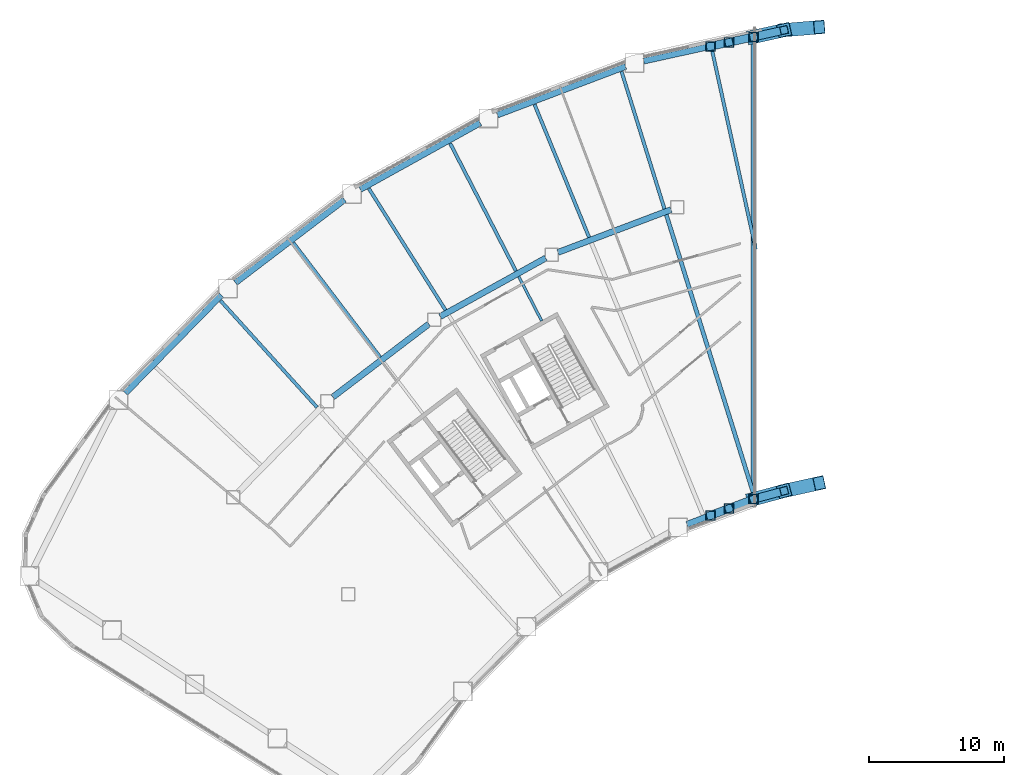
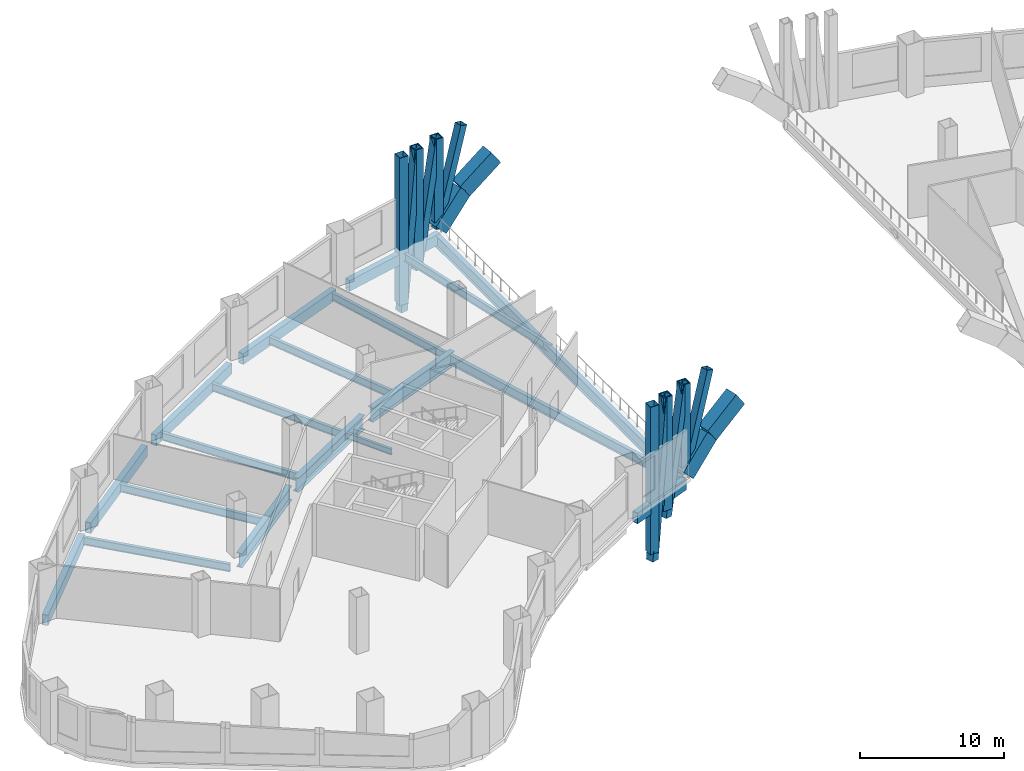
# One storey, part 3 of 14: 23 beams, 12 members.
"""IFC4 building model written with IfcOpenShell, lengths in metres."""

from ifc_helpers import new_model, si_unit, direction, frame, origin, origin_2d, place, context, subcontext, project, spatial, hollow_rectangle, i_section, extrude, material, material_profile, profile_set, type_object, element, save


model = new_model("IFC4")

# Units and contexts
model_context = context("Model", 3, precision=1e-05, world=origin(), true_north=direction((0.0, 1.0)))
body_context = subcontext(model_context, "Body", "Model", "MODEL_VIEW")
ifc_project = project(units=[si_unit("LENGTHUNIT", "METRE"), si_unit("AREAUNIT", "SQUARE_METRE"), si_unit("VOLUMEUNIT", "CUBIC_METRE"), si_unit("PLANEANGLEUNIT", "RADIAN"), si_unit("MASSUNIT", "GRAM", prefix="KILO")], contexts=[model_context])

# Site, building, storey
site_placement = place(None, origin())
site = spatial("IfcSite", under=ifc_project, at=site_placement, CompositionType="ELEMENT")
building_placement = place(site_placement, origin())
building = spatial("IfcBuilding", under=site, at=building_placement, Name="Tuul Gate Civic Tower", CompositionType="ELEMENT")
storey_placement = place(building_placement, frame((0.0, 0.0, 17.10009765625)))
storey = spatial("IfcBuildingStorey", under=building, at=storey_placement, Name="Level 03", CompositionType="ELEMENT", Elevation=17.10009765625)

# Beams
ifc_material_1 = material(Name="Steel S460", Category="steel")
ifc_material_profile_1 = material_profile(ifc_material_1, hollow_rectangle(XDim=1.0, YDim=1.39990234375, WallThickness=0.0400390625, at=origin_2d()), Name="BOX1400x1000x40")
ifc_profile_set_1 = profile_set([ifc_material_profile_1], Name="Steel S460")
beam_type_1 = type_object("IfcBeamType", Name="STR-ARCH TRUSS CHORD-BOX1400x1000x40", PredefinedType="BEAM", material=ifc_profile_set_1)
beam_1_placement = place(storey_placement, frame((-13.968994140625, 18.539306640625, 0.121826171875), z_axis=(0.701372500175, 0.154602798728, 0.695826552112), x_axis=(-0.215261313417, 0.976556484258, 0.0)))
element("IfcBeam", 1, at=beam_1_placement, inside=storey, type_object=beam_type_1, Name="Arch rib", PredefinedType="BEAM", context=body_context, shape_type="SweptSolid", body=[
    extrude(hollow_rectangle(XDim=1.0, YDim=1.39990234375, WallThickness=0.0400390625, at=origin_2d()), origin(), (0.0, 0.0, 1.0), 3.213623046875),
])
beam_2_placement = place(storey_placement, frame((-11.715087890625, 19.0361328125, 2.35791015625), z_axis=(0.818709909482, 0.068519957748, 0.570104463679), x_axis=(-0.083401016609, 0.996516066317, 0.0)))
element("IfcBeam", 2, at=beam_2_placement, inside=storey, type_object=beam_type_1, Name="Arch rib", PredefinedType="BEAM", context=body_context, shape_type="SweptSolid", body=[
    extrude(hollow_rectangle(XDim=1.0, YDim=1.39990234375, WallThickness=0.0400390625, at=origin_2d()), origin(), (0.0, 0.0, 1.0), 3.181884765625),
])
beam_3_placement = place(storey_placement, frame((-13.968994140625, -15.670166015625, 0.121826171875), z_axis=(0.697281561434, 0.187764510585, 0.691767961566), x_axis=(-0.260018484272, 0.965603639097, 0.0)))
element("IfcBeam", 3, at=beam_3_placement, inside=storey, type_object=beam_type_1, Name="Arch rib", PredefinedType="BEAM", context=body_context, shape_type="SweptSolid", body=[
    extrude(hollow_rectangle(XDim=1.0, YDim=1.39990234375, WallThickness=0.0400390625, at=origin_2d()), origin(), (0.0, 0.0, 1.0), 3.232421875),
])
beam_4_placement = place(storey_placement, frame((-11.715087890625, -15.063232421875, 2.35791015625), z_axis=(0.807532630492, 0.178005318362, 0.562321222545), x_axis=(-0.215263336647, 0.976556038277, 0.0)))
element("IfcBeam", 4, at=beam_4_placement, inside=storey, type_object=beam_type_1, Name="Arch rib", PredefinedType="BEAM", context=body_context, shape_type="SweptSolid", body=[
    extrude(hollow_rectangle(XDim=1.0, YDim=1.39990234375, WallThickness=0.0400390625, at=origin_2d()), origin(), (0.0, 0.0, 1.0), 3.225830078125),
])

# Members
ifc_material_2 = material(Name="Steel S355", Category="steel")
ifc_material_profile_2 = material_profile(ifc_material_2, hollow_rectangle(XDim=0.60009765625, YDim=0.60009765625, WallThickness=0.02490234375, at=origin_2d()), Name="BOX600x600x25")
ifc_profile_set_2 = profile_set([ifc_material_profile_2], Name="Steel S355")
member_type_1 = type_object("IfcMemberType", Name="STR-ARCH TRUSS DIAGONAL-BOX600x600x25", PredefinedType="BRACE", material=ifc_profile_set_2)
member_1_placement = place(storey_placement, frame((-17.158935546875, 17.83642578125, -5.339111328125), z_axis=(0.102698911509, 0.022637336481, 0.994454868042), x_axis=(-0.215256996806, 0.976557435754, 0.0)))
element("IfcMember", 5, at=member_1_placement, inside=storey, type_object=member_type_1, Name="Arch web", PredefinedType="BRACE", context=body_context, shape_type="SweptSolid", body=[
    extrude(hollow_rectangle(XDim=0.60009765625, YDim=0.60009765625, WallThickness=0.02490234375, at=origin_2d()), origin(), (0.0, 0.0, 1.0), 13.22216796875),
])
member_2_placement = place(storey_placement, frame((-15.801025390625, 18.1357421875, -2.468994140625), z_axis=(0.175337592275, 0.038623805974, 0.983750441091), x_axis=(-0.215124939042, 0.976586535132, 0.0)))
element("IfcMember", 6, at=member_2_placement, inside=storey, type_object=member_type_1, Name="Arch web", PredefinedType="BRACE", context=body_context, shape_type="SweptSolid", body=[
    extrude(hollow_rectangle(XDim=0.60009765625, YDim=0.60009765625, WallThickness=0.02490234375, at=origin_2d()), origin(), (0.0, 0.0, 1.0), 10.448486328125),
])
member_3_placement = place(storey_placement, frame((-13.968994140625, 18.539306640625, 0.121826171875), z_axis=(0.280791997788, 0.061894683221, 0.957770798347), x_axis=(-0.215261313417, 0.976556484258, 0.0)))
element("IfcMember", 7, at=member_3_placement, inside=storey, type_object=member_type_1, Name="Arch web", PredefinedType="BRACE", context=body_context, shape_type="SweptSolid", body=[
    extrude(hollow_rectangle(XDim=0.60009765625, YDim=0.60009765625, WallThickness=0.02490234375, at=origin_2d()), origin(), (0.0, 0.0, 1.0), 8.02685546875),
])
member_4_placement = place(storey_placement, frame((-17.158935546875, -16.876220703125, -5.339111328125), z_axis=(0.102647838096, 0.038811291535, 0.993960313586), x_axis=(-0.35366545796, 0.935371981538, 0.0)))
element("IfcMember", 8, at=member_4_placement, inside=storey, type_object=member_type_1, Name="Arch web", PredefinedType="BRACE", context=body_context, shape_type="SweptSolid", body=[
    extrude(hollow_rectangle(XDim=0.60009765625, YDim=0.60009765625, WallThickness=0.02490234375, at=origin_2d()), origin(), (0.0, 0.0, 1.0), 13.228759765625),
])
member_5_placement = place(storey_placement, frame((-15.801025390625, -16.36279296875, -2.468994140625), z_axis=(0.175083691875, 0.066193021568, 0.98232590556), x_axis=(-0.353635692756, 0.935383235262, 0.0)))
element("IfcMember", 9, at=member_5_placement, inside=storey, type_object=member_type_1, Name="Arch web", PredefinedType="BRACE", context=body_context, shape_type="SweptSolid", body=[
    extrude(hollow_rectangle(XDim=0.60009765625, YDim=0.60009765625, WallThickness=0.02490234375, at=origin_2d()), origin(), (0.0, 0.0, 1.0), 10.4638671875),
])
member_6_placement = place(storey_placement, frame((-13.968994140625, -15.670166015625, 0.121826171875), z_axis=(0.280527556176, 0.075540674248, 0.956868798091), x_axis=(-0.260018484272, 0.965603639097, 0.0)))
element("IfcMember", 10, at=member_6_placement, inside=storey, type_object=member_type_1, Name="Arch web", PredefinedType="BRACE", context=body_context, shape_type="SweptSolid", body=[
    extrude(hollow_rectangle(XDim=0.60009765625, YDim=0.60009765625, WallThickness=0.02490234375, at=origin_2d()), origin(), (0.0, 0.0, 1.0), 8.034423828125),
])
ifc_material_3 = material(Name="Steel S355", Category="steel")
ifc_material_profile_3 = material_profile(ifc_material_3, hollow_rectangle(XDim=0.699951171875, YDim=0.699951171875, WallThickness=0.030029296875, at=origin_2d()), Name="BOX700x700x30")
ifc_profile_set_3 = profile_set([ifc_material_profile_3], Name="Steel S355")
member_type_2 = type_object("IfcMemberType", Name="STR-ARCH TRUSS POST-BOX700x700x30", PredefinedType="POST", material=ifc_profile_set_3)
member_7_placement = place(storey_placement, frame((-17.158935546875, 17.83642578125, -4.649169921875), z_axis=(0.0, 0.0, 1.0), x_axis=(1.0, 0.0, 0.0)))
element("IfcMember", 11, at=member_7_placement, inside=storey, type_object=member_type_2, Name="Arch post", PredefinedType="POST", context=body_context, shape_type="SweptSolid", body=[
    extrude(hollow_rectangle(XDim=0.699951171875, YDim=0.699951171875, WallThickness=0.030029296875, at=origin_2d()), origin(), (0.0, 0.0, 1.0), 12.458984375),
])
member_8_placement = place(storey_placement, frame((-15.801025390625, 18.1357421875, -1.779052734375), z_axis=(0.0, 0.0, 1.0), x_axis=(1.0, 0.0, 0.0)))
element("IfcMember", 12, at=member_8_placement, inside=storey, type_object=member_type_2, Name="Arch post", PredefinedType="POST", context=body_context, shape_type="SweptSolid", body=[
    extrude(hollow_rectangle(XDim=0.699951171875, YDim=0.699951171875, WallThickness=0.030029296875, at=origin_2d()), origin(), (0.0, 0.0, 1.0), 9.5888671875),
])
member_9_placement = place(storey_placement, frame((-13.968994140625, 18.539306640625, 0.81201171875), z_axis=(0.0, 0.0, 1.0), x_axis=(1.0, 0.0, 0.0)))
element("IfcMember", 13, at=member_9_placement, inside=storey, type_object=member_type_2, Name="Arch post", PredefinedType="POST", context=body_context, shape_type="SweptSolid", body=[
    extrude(hollow_rectangle(XDim=0.699951171875, YDim=0.699951171875, WallThickness=0.030029296875, at=origin_2d()), origin(), (0.0, 0.0, 1.0), 6.997802734375),
])
member_10_placement = place(storey_placement, frame((-17.158935546875, -16.876220703125, -4.649169921875), z_axis=(0.0, 0.0, 1.0), x_axis=(1.0, 0.0, 0.0)))
element("IfcMember", 14, at=member_10_placement, inside=storey, type_object=member_type_2, Name="Arch post", PredefinedType="POST", context=body_context, shape_type="SweptSolid", body=[
    extrude(hollow_rectangle(XDim=0.699951171875, YDim=0.699951171875, WallThickness=0.030029296875, at=origin_2d()), origin(), (0.0, 0.0, 1.0), 12.458984375),
])
member_11_placement = place(storey_placement, frame((-15.801025390625, -16.36279296875, -1.779052734375), z_axis=(0.0, 0.0, 1.0), x_axis=(1.0, 0.0, 0.0)))
element("IfcMember", 15, at=member_11_placement, inside=storey, type_object=member_type_2, Name="Arch post", PredefinedType="POST", context=body_context, shape_type="SweptSolid", body=[
    extrude(hollow_rectangle(XDim=0.699951171875, YDim=0.699951171875, WallThickness=0.030029296875, at=origin_2d()), origin(), (0.0, 0.0, 1.0), 9.5888671875),
])
member_12_placement = place(storey_placement, frame((-13.968994140625, -15.670166015625, 0.81201171875), z_axis=(0.0, 0.0, 1.0), x_axis=(1.0, 0.0, 0.0)))
element("IfcMember", 16, at=member_12_placement, inside=storey, type_object=member_type_2, Name="Arch post", PredefinedType="POST", context=body_context, shape_type="SweptSolid", body=[
    extrude(hollow_rectangle(XDim=0.699951171875, YDim=0.699951171875, WallThickness=0.030029296875, at=origin_2d()), origin(), (0.0, 0.0, 1.0), 6.997802734375),
])

# Beams
ifc_material_4 = material(Name="Steel S355", Category="steel")
ifc_material_profile_4 = material_profile(ifc_material_4, i_section(OverallWidth=0.199951171875, OverallDepth=0.5, WebThickness=0.010009765625, FlangeThickness=0.01611328125, at=origin_2d()), Name="PG500x200x10x16")
ifc_profile_set_4 = profile_set([ifc_material_profile_4], Name="Steel S355")
beam_type_2 = type_object("IfcBeamType", Name="STR-FLOOR BEAM-PG500x200x10x16", PredefinedType="BEAM", material=ifc_profile_set_4)
beam_5_placement = place(storey_placement, frame((-29.65625, -2.4814453125, -0.60009765625), z_axis=(-0.458245936385, 0.888825439435, 0.0), x_axis=(-0.888825439435, -0.458245936385, 0.0)))
element("IfcBeam", 17, at=beam_5_placement, inside=storey, type_object=beam_type_2, Name="Floor beam", PredefinedType="BEAM", context=body_context, shape_type="SweptSolid", body=[
    extrude(i_section(OverallWidth=0.199951171875, OverallDepth=0.5, WebThickness=0.010009765625, FlangeThickness=0.01611328125, at=origin_2d()), origin(), (0.0, 0.0, 1.0), 3.697509765625),
])
ifc_material_5 = material(Name="Steel S355", Category="steel")
ifc_material_profile_5 = material_profile(ifc_material_5, i_section(OverallWidth=0.25, OverallDepth=0.64990234375, WebThickness=0.011962890625, FlangeThickness=0.02001953125, at=origin_2d()), Name="PG650x250x12x20")
ifc_profile_set_5 = profile_set([ifc_material_profile_5], Name="Steel S355")
beam_type_3 = type_object("IfcBeamType", Name="STR-FLOOR BEAM-PG650x250x12x20", PredefinedType="BEAM", material=ifc_profile_set_5)
beam_6_placement = place(storey_placement, frame((-13.81396484375, 2.8408203125, -0.675048828125), z_axis=(-0.214691065423, 0.976682008858, 0.0), x_axis=(-0.976682008858, -0.214691065423, 0.0)))
element("IfcBeam", 18, at=beam_6_placement, inside=storey, type_object=beam_type_3, Name="Floor beam", PredefinedType="BEAM", context=body_context, shape_type="SweptSolid", body=[
    extrude(i_section(OverallWidth=0.25, OverallDepth=0.64990234375, WebThickness=0.011962890625, FlangeThickness=0.02001953125, at=origin_2d()), origin(), (0.0, 0.0, 1.0), 15.1142578125),
])
beam_7_placement = place(storey_placement, frame((-20.569091796875, 5.808837890625, -0.675048828125), z_axis=(-0.298314175954, 0.954467732522, 0.0), x_axis=(-0.954467732522, -0.298314175954, 0.0)))
element("IfcBeam", 19, at=beam_7_placement, inside=storey, type_object=beam_type_3, Name="Floor beam", PredefinedType="BEAM", context=body_context, shape_type="SweptSolid", body=[
    extrude(i_section(OverallWidth=0.25, OverallDepth=0.64990234375, WebThickness=0.011962890625, FlangeThickness=0.02001953125, at=origin_2d()), origin(), (0.0, 0.0, 1.0), 10.643310546875),
])
beam_8_placement = place(storey_placement, frame((-26.146240234375, 3.7001953125, -0.675048828125), z_axis=(-0.379723712326, 0.925099941789, 0.0), x_axis=(-0.925099941789, -0.379723712326, 0.0)))
element("IfcBeam", 20, at=beam_8_placement, inside=storey, type_object=beam_type_3, Name="Floor beam", PredefinedType="BEAM", context=body_context, shape_type="SweptSolid", body=[
    extrude(i_section(OverallWidth=0.25, OverallDepth=0.64990234375, WebThickness=0.011962890625, FlangeThickness=0.02001953125, at=origin_2d()), origin(), (0.0, 0.0, 1.0), 10.629150390625),
])
beam_9_placement = place(storey_placement, frame((-31.556884765625, 1.205078125, -0.675048828125), z_axis=(-0.458267871085, 0.888814130362, 0.0), x_axis=(-0.888814130362, -0.458267871085, 0.0)))
element("IfcBeam", 21, at=beam_9_placement, inside=storey, type_object=beam_type_3, Name="Floor beam", PredefinedType="BEAM", context=body_context, shape_type="SweptSolid", body=[
    extrude(i_section(OverallWidth=0.25, OverallDepth=0.64990234375, WebThickness=0.011962890625, FlangeThickness=0.02001953125, at=origin_2d()), origin(), (0.0, 0.0, 1.0), 10.6298828125),
])
beam_10_placement = place(storey_placement, frame((-36.771484375, -1.685546875, -0.675048828125), z_axis=(-0.533386929433, 0.845871375275, 0.0), x_axis=(-0.845871375275, -0.533386929433, 0.0)))
element("IfcBeam", 22, at=beam_10_placement, inside=storey, type_object=beam_type_3, Name="Floor beam", PredefinedType="BEAM", context=body_context, shape_type="SweptSolid", body=[
    extrude(i_section(OverallWidth=0.25, OverallDepth=0.64990234375, WebThickness=0.011962890625, FlangeThickness=0.02001953125, at=origin_2d()), origin(), (0.0, 0.0, 1.0), 10.641845703125),
])
beam_11_placement = place(storey_placement, frame((-41.608642578125, -5.169921875, -0.675048828125), z_axis=(-0.604505162529, 0.796601222995, 0.0), x_axis=(-0.796601222995, -0.604505162529, 0.0)))
element("IfcBeam", 23, at=beam_11_placement, inside=storey, type_object=beam_type_3, Name="Floor beam", PredefinedType="BEAM", context=body_context, shape_type="SweptSolid", body=[
    extrude(i_section(OverallWidth=0.25, OverallDepth=0.64990234375, WebThickness=0.011962890625, FlangeThickness=0.02001953125, at=origin_2d()), origin(), (0.0, 0.0, 1.0), 10.625),
])
beam_12_placement = place(storey_placement, frame((-46.27490234375, -8.881103515625, -0.675048828125), z_axis=(-0.671117501912, 0.741350995567, 0.0), x_axis=(-0.741350995567, -0.671117501912, 0.0)))
element("IfcBeam", 24, at=beam_12_placement, inside=storey, type_object=beam_type_3, Name="Floor beam", PredefinedType="BEAM", context=body_context, shape_type="SweptSolid", body=[
    extrude(i_section(OverallWidth=0.25, OverallDepth=0.64990234375, WebThickness=0.011962890625, FlangeThickness=0.02001953125, at=origin_2d()), origin(), (0.0, 0.0, 1.0), 10.643798828125),
])
ifc_material_6 = material(Name="Steel S355", Category="steel")
ifc_material_profile_6 = material_profile(ifc_material_6, i_section(OverallWidth=0.300048828125, OverallDepth=0.800048828125, WebThickness=0.013916015625, FlangeThickness=0.02490234375, at=origin_2d()), Name="PG800x300x14x25")
ifc_profile_set_6 = profile_set([ifc_material_profile_6], Name="Steel S355")
beam_type_4 = type_object("IfcBeamType", Name="STR-FLOOR BEAM-PG800x300x14x25", PredefinedType="BEAM", material=ifc_profile_set_6)
beam_13_placement = place(storey_placement, frame((-13.9423828125, -15.392822265625, -0.75), z_axis=(-0.298320984436, 0.954465604537, 0.0), x_axis=(-0.954465604537, -0.298320984436, 0.0)))
element("IfcBeam", 25, at=beam_13_placement, inside=storey, type_object=beam_type_4, Name="Floor beam", PredefinedType="BEAM", context=body_context, shape_type="SweptSolid", body=[
    extrude(i_section(OverallWidth=0.300048828125, OverallDepth=0.800048828125, WebThickness=0.013916015625, FlangeThickness=0.02490234375, at=origin_2d()), origin(), (0.0, 0.0, 1.0), 21.762451171875),
])
ifc_material_7 = material(Name="Steel S355", Category="steel")
ifc_material_profile_7 = material_profile(ifc_material_7, i_section(OverallWidth=0.35009765625, OverallDepth=1.0, WebThickness=0.01611328125, FlangeThickness=0.030029296875, at=origin_2d()), Name="PG1000x350x16x30")
ifc_profile_set_7 = profile_set([ifc_material_profile_7], Name="Steel S355")
beam_type_5 = type_object("IfcBeamType", Name="STR-RING BEAM-PG1000x350x16x30", PredefinedType="BEAM", material=ifc_profile_set_7)
beam_14_placement = place(storey_placement, frame((-13.989013671875, -15.677734375, -0.85009765625), z_axis=(0.0, 1.0, 0.0), x_axis=(-1.0, 0.0, 0.0)))
element("IfcBeam", 26, at=beam_14_placement, inside=storey, type_object=beam_type_5, Name="Tunnel edge beam", PredefinedType="BEAM", context=body_context, shape_type="SweptSolid", body=[
    extrude(i_section(OverallWidth=0.35009765625, OverallDepth=1.0, WebThickness=0.01611328125, FlangeThickness=0.030029296875, at=origin_2d()), origin(), (0.0, 0.0, 1.0), 34.212646484375),
])
ifc_material_8 = material(Name="Steel S355", Category="steel")
ifc_material_profile_8 = material_profile(ifc_material_8, i_section(OverallWidth=0.449951171875, OverallDepth=1.199951171875, WebThickness=0.02001953125, FlangeThickness=0.0400390625, at=origin_2d()), Name="PG1200x450x20x40")
ifc_profile_set_8 = profile_set([ifc_material_profile_8], Name="Steel S355")
beam_type_6 = type_object("IfcBeamType", Name="STR-RING BEAM-PG1200x450x20x40", PredefinedType="BEAM", material=ifc_profile_set_8)
beam_15_placement = place(storey_placement, frame((-45.1162109375, -8.12353515625, -0.9501953125), z_axis=(0.795619775117, 0.605796313494, 0.0), x_axis=(-0.605796313494, 0.795619775117, 0.0)))
element("IfcBeam", 27, at=beam_15_placement, inside=storey, type_object=beam_type_6, Name="Ring girder", PredefinedType="BEAM", context=body_context, shape_type="SweptSolid", body=[
    extrude(i_section(OverallWidth=0.449951171875, OverallDepth=1.199951171875, WebThickness=0.02001953125, FlangeThickness=0.0400390625, at=origin_2d()), origin(), (0.0, 0.0, 1.0), 8.938720703125),
])
beam_16_placement = place(storey_placement, frame((-37.16943359375, -2.163330078125, -0.9501953125), z_axis=(0.874603942318, 0.484838059646, 0.0), x_axis=(-0.484838059646, 0.874603942318, 0.0)))
element("IfcBeam", 28, at=beam_16_placement, inside=storey, type_object=beam_type_6, Name="Ring girder", PredefinedType="BEAM", context=body_context, shape_type="SweptSolid", body=[
    extrude(i_section(OverallWidth=0.449951171875, OverallDepth=1.199951171875, WebThickness=0.02001953125, FlangeThickness=0.0400390625, at=origin_2d()), origin(), (0.0, 0.0, 1.0), 8.93896484375),
])
beam_17_placement = place(storey_placement, frame((-28.4462890625, 2.58984375, -0.9501953125), z_axis=(0.935363691273, 0.353687383218, 0.0), x_axis=(-0.353687383218, 0.935363691273, 0.0)))
element("IfcBeam", 29, at=beam_17_placement, inside=storey, type_object=beam_type_6, Name="Ring girder", PredefinedType="BEAM", context=body_context, shape_type="SweptSolid", body=[
    extrude(i_section(OverallWidth=0.449951171875, OverallDepth=1.199951171875, WebThickness=0.02001953125, FlangeThickness=0.0400390625, at=origin_2d()), origin(), (0.0, 0.0, 1.0), 8.938232421875),
])
ifc_material_9 = material(Name="Steel S355", Category="steel")
ifc_material_profile_9 = material_profile(ifc_material_9, hollow_rectangle(XDim=0.449951171875, YDim=0.89990234375, WallThickness=0.02490234375, at=origin_2d()), Name="BOX900x450x25")
ifc_profile_set_9 = profile_set([ifc_material_profile_9], Name="Steel S355")
beam_type_7 = type_object("IfcBeamType", Name="STR-SPANDREL BEAM-BOX900x450x25", PredefinedType="BEAM", material=ifc_profile_set_9)
beam_18_placement = place(storey_placement, frame((-13.7890625, 18.5791015625, -0.800048828125), z_axis=(-0.976564536155, -0.215224781856, 0.0), x_axis=(0.215224781856, -0.976564536155, 0.0)))
element("IfcBeam", 30, at=beam_18_placement, inside=storey, type_object=beam_type_7, Name="Spandrel beam", PredefinedType="BEAM", context=body_context, shape_type="SweptSolid", body=[
    extrude(hollow_rectangle(XDim=0.449951171875, YDim=0.89990234375, WallThickness=0.02490234375, at=origin_2d()), origin(), (0.0, 0.0, 1.0), 8.51904296875),
])
beam_19_placement = place(storey_placement, frame((-23.44677734375, 16.347412109375, -0.800048828125), z_axis=(-0.935355549891, -0.353708913215, 0.0), x_axis=(0.353708913215, -0.935355549891, 0.0)))
element("IfcBeam", 31, at=beam_19_placement, inside=storey, type_object=beam_type_7, Name="Spandrel beam", PredefinedType="BEAM", context=body_context, shape_type="SweptSolid", body=[
    extrude(hollow_rectangle(XDim=0.449951171875, YDim=0.89990234375, WallThickness=0.02490234375, at=origin_2d()), origin(), (0.0, 0.0, 1.0), 10.146484375),
])
for number, where, z_axis, x_axis, name in (
    (32, (-34.204345703125, 12.171630859375, -0.800048828125), (-0.874621074476, -0.484807153497, 0.0), (0.484807153497, -0.874621074476, 0.0), "Spandrel beam"),
    (33, (-44.248046875, 6.489013671875, -0.800048828125), (-0.795616160285, -0.605801060987, 0.0), (0.605801060987, -0.795616160285, 0.0), "Spandrel beam"),
):
    element("IfcBeam", number, at=place(storey_placement, frame(where, z_axis=z_axis, x_axis=x_axis)), inside=storey, type_object=beam_type_7, Name=name, PredefinedType="BEAM", context=body_context, shape_type="SweptSolid", body=[
        extrude(hollow_rectangle(XDim=0.449951171875, YDim=0.89990234375, WallThickness=0.02490234375, at=origin_2d()), origin(), (0.0, 0.0, 1.0), 10.146728515625),
    ])
beam_20_placement = place(storey_placement, frame((-53.367919921875, -0.581787109375, -0.800048828125), z_axis=(-0.700009826077, -0.714133211239, 0.0), x_axis=(0.714133211239, -0.700009826077, 0.0)))
element("IfcBeam", 34, at=beam_20_placement, inside=storey, type_object=beam_type_7, Name="Spandrel beam", PredefinedType="BEAM", context=body_context, shape_type="SweptSolid", body=[
    extrude(hollow_rectangle(XDim=0.449951171875, YDim=0.89990234375, WallThickness=0.02490234375, at=origin_2d()), origin(), (0.0, 0.0, 1.0), 10.14697265625),
])
beam_21_placement = place(storey_placement, frame((-18.9033203125, -17.535400390625, -0.800048828125), z_axis=(0.935406025935, 0.353575404468, 0.0), x_axis=(-0.353575404468, 0.935406025935, 0.0)))
element("IfcBeam", 35, at=beam_21_placement, inside=storey, type_object=beam_type_7, Name="Spandrel beam", PredefinedType="BEAM", context=body_context, shape_type="SweptSolid", body=[
    extrude(hollow_rectangle(XDim=0.449951171875, YDim=0.89990234375, WallThickness=0.02490234375, at=origin_2d()), origin(), (0.0, 0.0, 1.0), 5.322265625),
])

save(model, "model.ifc")
